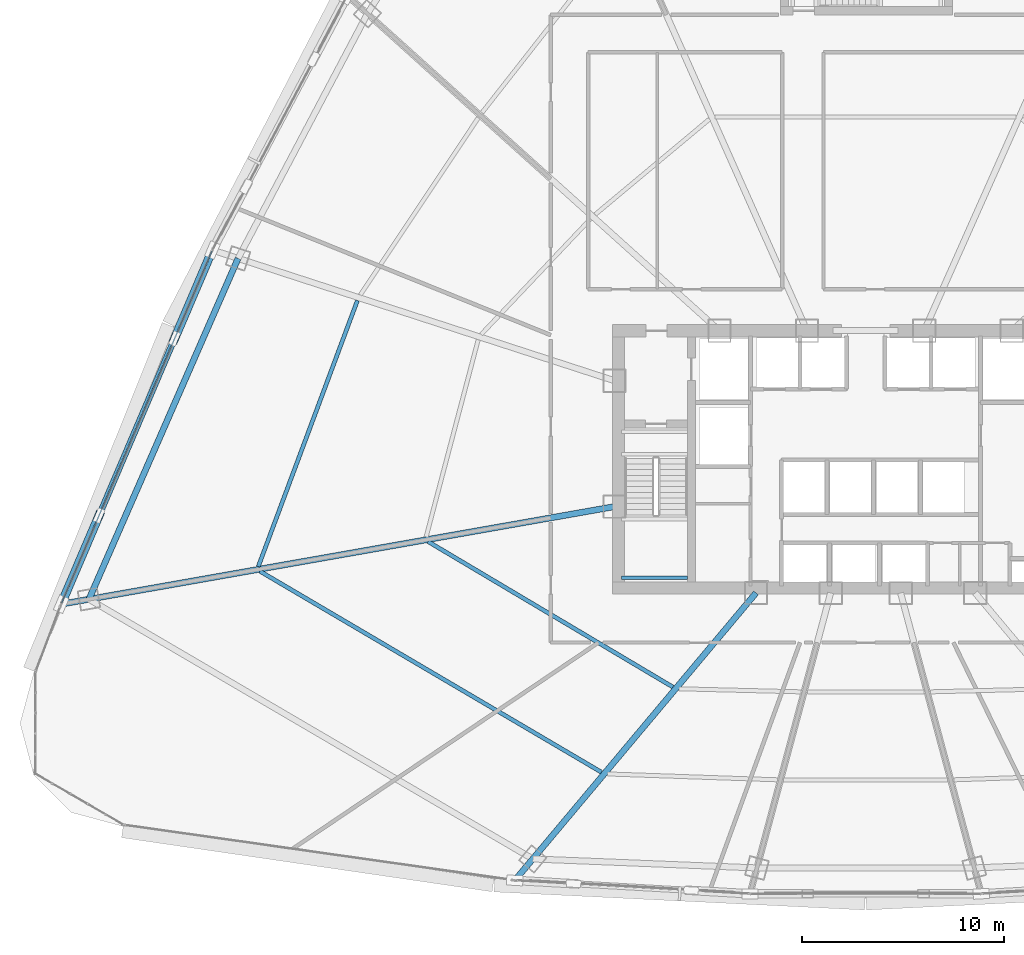
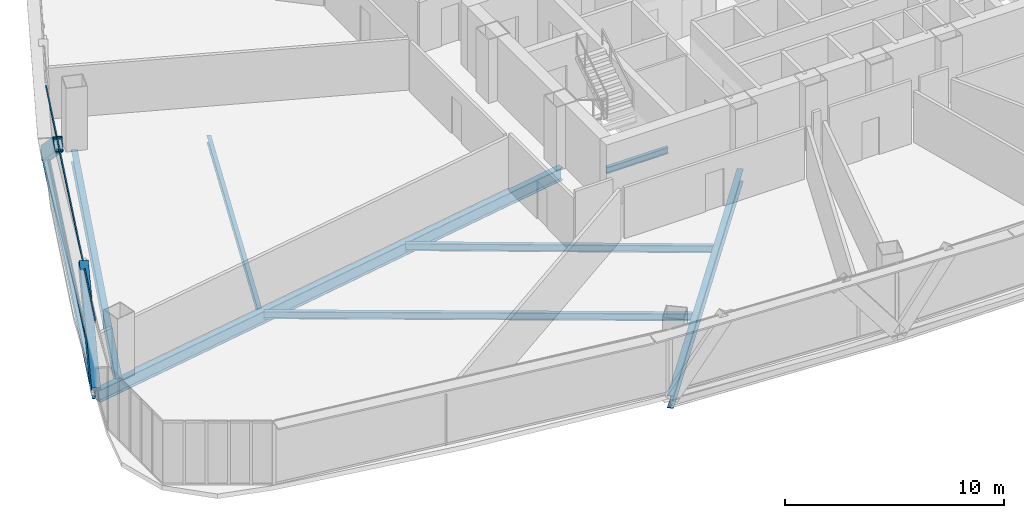
# One storey, part 7 of 41: 8 beams, 4 members, 1 element without a shape of its own.
"""IFC4 building model written with IfcOpenShell, lengths in metres."""

from ifc_helpers import new_model, si_unit, direction, frame, origin, origin_2d, place, context, subcontext, project, spatial, hollow_rectangle, i_section, extrude, source, transform, mapped, material, layer, layer_set, material_profile, profile_set, type_object, element, aggregate, save


model = new_model("IFC4")

# Units and contexts
model_context = context("Model", 3, precision=1e-05, world=origin(), true_north=direction((0.0, 1.0)))
body_context = subcontext(model_context, "Body", "Model", "MODEL_VIEW")
ifc_project = project(units=[si_unit("LENGTHUNIT", "METRE"), si_unit("AREAUNIT", "SQUARE_METRE"), si_unit("VOLUMEUNIT", "CUBIC_METRE"), si_unit("PLANEANGLEUNIT", "RADIAN"), si_unit("MASSUNIT", "GRAM", prefix="KILO"), si_unit("THERMODYNAMICTEMPERATUREUNIT", "KELVIN"), si_unit("POWERUNIT", "WATT")], contexts=[model_context])

# Site, building, storey
site_placement = place(None, origin())
site = spatial("IfcSite", under=ifc_project, at=site_placement, CompositionType="ELEMENT")
building_placement = place(site_placement, origin())
building = spatial("IfcBuilding", under=site, at=building_placement, Name="Yunzhuo Pagoda Commons", CompositionType="ELEMENT")
storey_placement = place(building_placement, frame((0.0, 0.0, 111.580078125)))
storey = spatial("IfcBuildingStorey", under=building, at=storey_placement, Name="L28", CompositionType="ELEMENT", Elevation=111.580078125)

# Beams
ifc_material_1 = material(Name="Structural steel Q355B", Category="steel")
ifc_material_profile_1 = material_profile(ifc_material_1, i_section(OverallWidth=0.175048828125, OverallDepth=0.35009765625, WebThickness=0.007080078125, FlangeThickness=0.010986328125, at=origin_2d()), Name="Structural steel Q355B")
ifc_profile_set_1 = profile_set([ifc_material_profile_1], Name="Structural steel Q355B")
beam_type_1 = type_object("IfcBeamType", Name="B-JS2 Joist HN 350x175x7x11", PredefinedType="JOIST", material=ifc_profile_set_1)
shared_shape_1 = source(origin(), body_context, "Body", "SweptSolid", [
    extrude(i_section(OverallWidth=0.175048828125, OverallDepth=0.35009765625, WebThickness=0.007080078125, FlangeThickness=0.010986328125, at=origin_2d()), origin(), (0.0, 0.0, 1.0), 3.25),
])
beam_1_placement = place(storey_placement, frame((35.949951171875, 28.0, 1.525146484375), z_axis=(1.0, 0.0, 0.0), x_axis=(0.0, 1.0, 0.0)))
element("IfcBeam", 1, at=beam_1_placement, inside=storey, type_object=beam_type_1, Name="L28 ST1 landing support beam 34A", PredefinedType="JOIST", context=body_context, shape_type="MappedRepresentation", body=[
    mapped(shared_shape_1, transform((0.0, 0.0, 0.0), scale=1.0)),
])
ifc_material_profile_2 = material_profile(ifc_material_1, i_section(OverallWidth=0.300048828125, OverallDepth=0.699951171875, WebThickness=0.012939453125, FlangeThickness=0.02392578125, at=origin_2d()), Name="Structural steel Q355B")
ifc_profile_set_2 = profile_set([ifc_material_profile_2], Name="Structural steel Q355B")
beam_type_2 = type_object("IfcBeamType", Name="B-RG1 Beam HN 700x300x13x24", PredefinedType="BEAM", material=ifc_profile_set_2)
shared_shape_2 = source(origin(), body_context, "Body", "SweptSolid", [
    extrude(i_section(OverallWidth=0.300048828125, OverallDepth=0.699951171875, WebThickness=0.012939453125, FlangeThickness=0.02392578125, at=origin_2d()), origin(), (0.0, 0.0, 1.0), 18.37158203125),
])
beam_2_placement = place(storey_placement, frame((17.00927734375, 43.76953125, -0.610107421875), z_axis=(-0.400729599795, -0.916196369698, 0.0), x_axis=(0.916196369698, -0.400729599795, 0.0)))
element("IfcBeam", 2, at=beam_2_placement, inside=storey, type_object=beam_type_2, Name="L28 column-ring beam 11", PredefinedType="BEAM", context=body_context, shape_type="MappedRepresentation", body=[
    mapped(shared_shape_2, transform((0.0, 0.0, 0.0), scale=1.0)),
])
ifc_material_profile_3 = material_profile(ifc_material_1, i_section(OverallWidth=0.199951171875, OverallDepth=0.39990234375, WebThickness=0.008056640625, FlangeThickness=0.012939453125, at=origin_2d()), Name="Structural steel Q355B")
ifc_profile_set_3 = profile_set([ifc_material_profile_3], Name="Structural steel Q355B")
beam_type_3 = type_object("IfcBeamType", Name="B-JS1 Joist HN 400x200x8x13", PredefinedType="JOIST", material=ifc_profile_set_3)
shared_shape_3 = source(origin(), body_context, "Body", "SweptSolid", [
    extrude(i_section(OverallWidth=0.199951171875, OverallDepth=0.39990234375, WebThickness=0.008056640625, FlangeThickness=0.012939453125, at=origin_2d()), origin(), (0.0, 0.0, 1.0), 14.061767578125),
])
beam_3_placement = place(storey_placement, frame((26.393798828125, 29.784912109375, -0.4599609375), z_axis=(0.859683443923, -0.510827149088, 0.0), x_axis=(0.510827149088, 0.859683443923, 0.0)))
element("IfcBeam", 3, at=beam_3_placement, inside=storey, type_object=beam_type_3, Name="L28 composite ring joist 1.12", PredefinedType="JOIST", context=body_context, shape_type="MappedRepresentation", body=[
    mapped(shared_shape_3, transform((0.0, 0.0, 0.0), scale=1.0)),
])
shared_shape_4 = source(origin(), body_context, "Body", "SweptSolid", [
    extrude(i_section(OverallWidth=0.199951171875, OverallDepth=0.39990234375, WebThickness=0.008056640625, FlangeThickness=0.012939453125, at=origin_2d()), origin(), (0.0, 0.0, 1.0), 19.568603515625),
])
beam_4_placement = place(storey_placement, frame((18.089111328125, 28.321044921875, -0.4599609375), z_axis=(0.861862685393, -0.50714170754, 0.0), x_axis=(0.50714170754, 0.861862685393, 0.0)))
element("IfcBeam", 4, at=beam_4_placement, inside=storey, type_object=beam_type_3, Name="L28 composite ring joist 2.12", PredefinedType="JOIST", context=body_context, shape_type="MappedRepresentation", body=[
    mapped(shared_shape_4, transform((0.0, 0.0, 0.0), scale=1.0)),
])
shared_shape_5 = source(origin(), body_context, "Body", "SweptSolid", [
    extrude(i_section(OverallWidth=0.199951171875, OverallDepth=0.39990234375, WebThickness=0.008056640625, FlangeThickness=0.012939453125, at=origin_2d()), origin(), (0.0, 0.0, 1.0), 14.018798828125),
])
beam_5_placement = place(storey_placement, frame((22.902587890625, 41.6875, -0.4599609375), z_axis=(-0.349137809065, -0.937071390173, 0.0), x_axis=(0.937071390173, -0.349137809065, 0.0)))
element("IfcBeam", 5, at=beam_5_placement, inside=storey, type_object=beam_type_3, Name="L28 composite ring joist 2.11", PredefinedType="JOIST", context=body_context, shape_type="MappedRepresentation", body=[
    mapped(shared_shape_5, transform((0.0, 0.0, 0.0), scale=1.0)),
])
shared_shape_6 = source(origin(), body_context, "Body", "SweptSolid", [
    extrude(i_section(OverallWidth=0.300048828125, OverallDepth=0.699951171875, WebThickness=0.012939453125, FlangeThickness=0.02392578125, at=origin_2d()), origin(), (0.0, 0.0, 1.0), 18.376220703125),
])
beam_6_placement = place(storey_placement, frame((30.77587890625, 13.173095703125, -0.610107421875), z_axis=(0.642790372457, 0.766042124871, 0.0), x_axis=(-0.766042124871, 0.642790372457, 0.0)))
element("IfcBeam", 6, at=beam_6_placement, inside=storey, type_object=beam_type_2, Name="L28 radial floor girder F1C1", PredefinedType="BEAM", context=body_context, shape_type="MappedRepresentation", body=[
    mapped(shared_shape_6, transform((0.0, 0.0, 0.0), scale=1.0)),
])
shared_shape_7 = source(origin(), body_context, "Body", "SweptSolid", [
    extrude(i_section(OverallWidth=0.300048828125, OverallDepth=0.699951171875, WebThickness=0.012939453125, FlangeThickness=0.02392578125, at=origin_2d()), origin(), (0.0, 0.0, 1.0), 27.59228515625),
])
beam_7_placement = place(storey_placement, frame((8.427001953125, 26.72216796875, -0.610107421875), z_axis=(0.984808311773, 0.173645008747, 0.0), x_axis=(-0.173645008747, 0.984808311773, 0.0)))
element("IfcBeam", 7, at=beam_7_placement, inside=storey, type_object=beam_type_2, Name="L28 radial floor girder F3C4", PredefinedType="BEAM", context=body_context, shape_type="MappedRepresentation", body=[
    mapped(shared_shape_7, transform((0.0, 0.0, 0.0), scale=1.0)),
])
ifc_material_profile_4 = material_profile(ifc_material_1, i_section(OverallWidth=0.300048828125, OverallDepth=0.488037109375, WebThickness=0.010986328125, FlangeThickness=0.01806640625, at=origin_2d()), Name="Structural steel Q355B")
ifc_profile_set_4 = profile_set([ifc_material_profile_4], Name="Structural steel Q355B")
beam_type_4 = type_object("IfcBeamType", Name="B-SP1 Beam HM 488x300x11x18", PredefinedType="BEAM", material=ifc_profile_set_4)
shared_shape_8 = source(origin(), body_context, "Body", "SweptSolid", [
    extrude(i_section(OverallWidth=0.300048828125, OverallDepth=0.488037109375, WebThickness=0.010986328125, FlangeThickness=0.01806640625, at=origin_2d()), origin(), (0.0, 0.0, 1.0), 19.013671875),
])
beam_8_placement = place(storey_placement, frame((15.74169921875, 44.181640625, -0.504150390625), z_axis=(-0.392730365154, -0.919653663226, 0.0), x_axis=(0.919653663226, -0.392730365154, 0.0)))
element("IfcBeam", 8, at=beam_8_placement, inside=storey, type_object=beam_type_4, Name="L28 facade edge spandrel beam F3.3", PredefinedType="BEAM", context=body_context, shape_type="MappedRepresentation", body=[
    mapped(shared_shape_8, transform((0.0, 0.0, 0.0), scale=1.0)),
])

# Members
ifc_material_2 = material(Name="Structural steel Q420B", Category="steel")
ifc_material_profile_5 = material_profile(ifc_material_2, hollow_rectangle(XDim=0.419921875, YDim=0.719970703125, WallThickness=0.028076171875, at=origin_2d()), Name="Structural steel Q420B")
ifc_profile_set_5 = profile_set([ifc_material_profile_5], Name="Structural steel Q420B")
member_type_1 = type_object("IfcMemberType", Name="M-DL1 Brace BOX 720x420x28", PredefinedType="BRACE", material=ifc_profile_set_5)
shared_shape_9 = source(origin(), body_context, "Body", "SweptSolid", [
    extrude(hollow_rectangle(XDim=0.419921875, YDim=0.719970703125, WallThickness=0.028076171875, at=origin_2d()), origin(), (0.0, 0.0, 1.0), 6.085693359375),
])
for number, where, z_axis, x_axis, name in (
    (9, (15.74169921875, 44.181640625, -0.260009765625), (-0.306735656303, -0.718337517887, 0.624423291964), (0.919664918407, -0.392704007938, 0.0), "L28 facade diamond brace F3.3L"),
    (10, (8.2744140625, 26.695556640625, -0.260009765625), (0.306735656303, 0.718337517887, 0.624423291964), (-0.919664918407, 0.392704007938, 0.0), "L28 facade diamond brace F3.3R"),
):
    element("IfcMember", number, at=place(storey_placement, frame(where, z_axis=z_axis, x_axis=x_axis)), inside=storey, type_object=member_type_1, Name=name, PredefinedType="BRACE", context=body_context, shape_type="MappedRepresentation", body=[
        mapped(shared_shape_9, transform((0.0, 0.0, 0.0), scale=1.0)),
    ])

# Curtain wall, members
ifc_material_3 = material(Name="Anodized aluminium 6063-T6", Category="aluminium")
ifc_layer = layer(ifc_material_3, 0.1650390625)
ifc_layer_set = layer_set([ifc_layer], Name="Anodized aluminium 6063-T6")
curtain_wall_type = type_object("IfcCurtainWallType", Name="CW-LOW Low-Zone Ribbon Curtain Wall", PredefinedType="NOTDEFINED", material=ifc_layer_set)
curtain_wall_placement = place(storey_placement, origin())
curtain_wall = element("IfcCurtainWall", 11, at=curtain_wall_placement, inside=storey, type_object=curtain_wall_type, Name="L28 curtain wall CW-L28-F3B4", PredefinedType="NOTDEFINED")
ifc_material_profile_6 = material_profile(ifc_material_3, hollow_rectangle(XDim=0.06005859375, YDim=0.139892578125, WallThickness=0.00341796875, at=origin_2d()), Name="Anodized aluminium 6063-T6")
ifc_profile_set_6 = profile_set([ifc_material_profile_6], Name="Anodized aluminium 6063-T6")
member_type_2 = type_object("IfcMemberType", Name="CW-LOW-T Transom RHS 140x60x3.5", PredefinedType="USERDEFINED", material=ifc_profile_set_6)
shared_shape_10 = source(origin(), body_context, "Body", "SweptSolid", [
    extrude(hollow_rectangle(XDim=0.06005859375, YDim=0.139892578125, WallThickness=0.00341796875, at=origin_2d()), origin(), (0.0, 0.0, 1.0), 18.8837890625),
])
member_1_placement = place(storey_placement, frame((15.71630859375, 44.12158203125, 0.030029296875), z_axis=(-0.392744037399, -0.919647824489, 0.0), x_axis=(0.919647824489, -0.392744037399, 0.0)))
member_1 = element("IfcMember", 12, at=member_1_placement, type_object=member_type_2, Name="CW transom 1.1", ObjectType="TRANSOM", PredefinedType="USERDEFINED", context=body_context, shape_type="MappedRepresentation", body=[
    mapped(shared_shape_10, transform((0.0, 0.0, 0.0), scale=1.0)),
])
member_2_placement = place(storey_placement, frame((15.71630859375, 44.12158203125, 3.510009765625), z_axis=(-0.392744037399, -0.919647824489, 0.0), x_axis=(0.919647824489, -0.392744037399, 0.0)))
member_2 = element("IfcMember", 13, at=member_2_placement, type_object=member_type_2, Name="CW transom 1.2", ObjectType="TRANSOM", PredefinedType="USERDEFINED", context=body_context, shape_type="MappedRepresentation", body=[
    mapped(shared_shape_10, transform((0.0, 0.0, 0.0), scale=1.0)),
])
aggregate(curtain_wall, [member_1, member_2])

save(model, "model.ifc")
